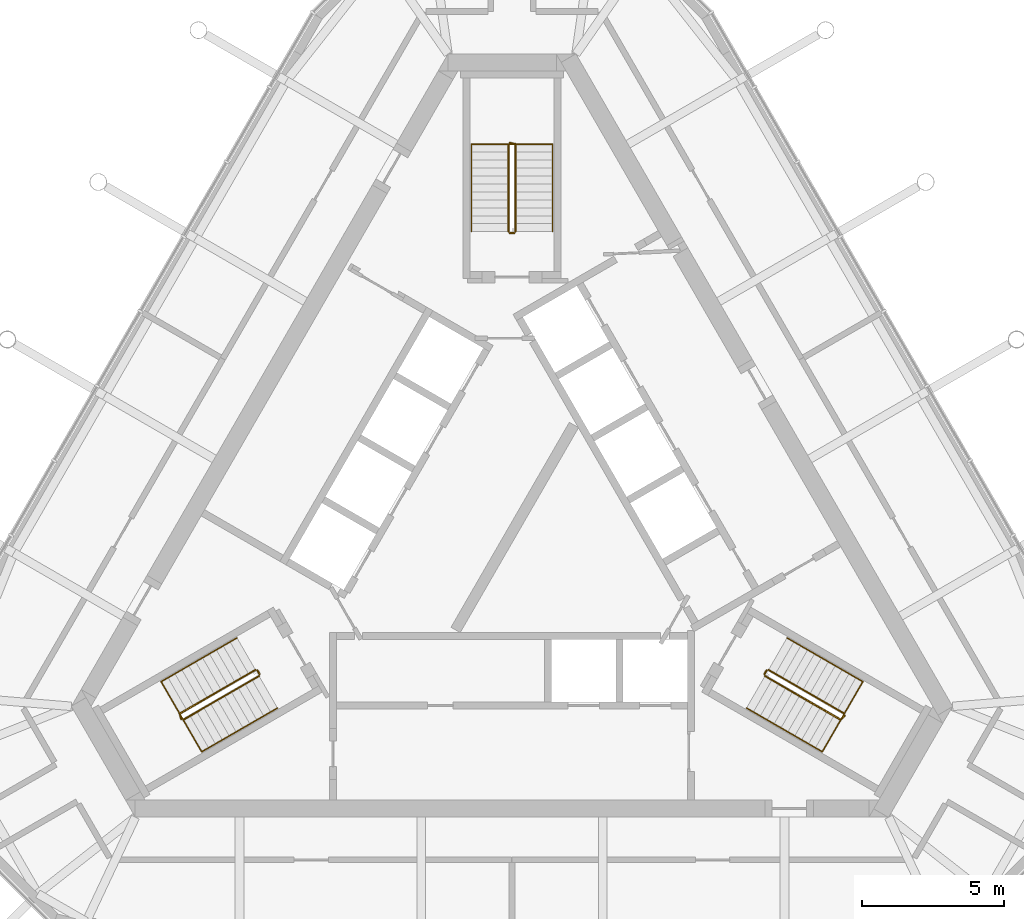
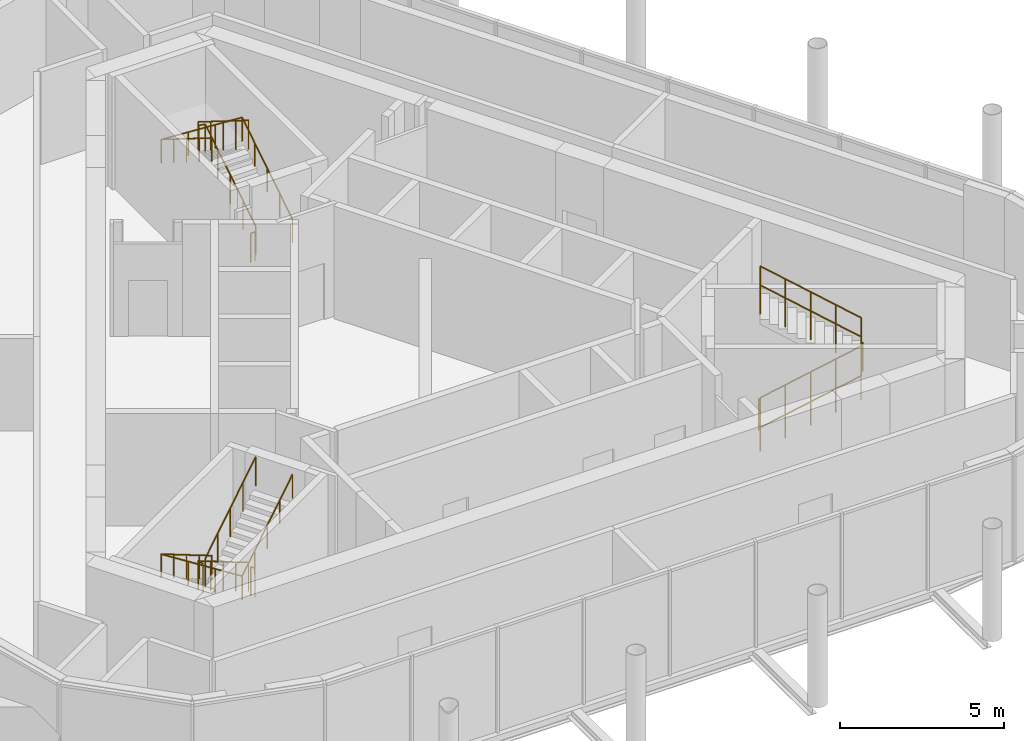
# One storey, part 11 of 11: 12 railings.
"""IFC4 building model written with IfcOpenShell, lengths in metres."""

from ifc_helpers import new_model, si_unit, direction, frame, origin, origin_2d, place, context, subcontext, project, spatial, circle, extrude, material, type_object, element, save


model = new_model("IFC4")

# Units and contexts
model_context = context("Model", 3, precision=1e-05, world=origin(), true_north=direction((0.0, 1.0)))
body_context = subcontext(model_context, "Body", "Model", "MODEL_VIEW")
ifc_project = project(units=[si_unit("LENGTHUNIT", "METRE"), si_unit("AREAUNIT", "SQUARE_METRE"), si_unit("VOLUMEUNIT", "CUBIC_METRE"), si_unit("PLANEANGLEUNIT", "RADIAN"), si_unit("MASSUNIT", "GRAM", prefix="KILO")], contexts=[model_context])

# Site, building, storey
site_placement = place(None, origin())
site = spatial("IfcSite", under=ifc_project, at=site_placement, CompositionType="ELEMENT")
building_placement = place(site_placement, origin())
building = spatial("IfcBuilding", under=site, at=building_placement, Name="Mestral Congress Tower", CompositionType="ELEMENT")
storey_placement = place(building_placement, frame((0.0, 0.0, 336.0)))
storey = spatial("IfcBuildingStorey", under=building, at=storey_placement, Name="L78", CompositionType="ELEMENT", Elevation=336.0)

# Railings
ifc_material_1 = material(Name="Steel balustrade", Category="steel")
railing_type_1 = type_object("IfcRailingType", Name="Stair guard 1100", PredefinedType="GUARDRAIL", material=ifc_material_1)
railing_1_placement = place(storey_placement, frame((8.90087890625, -5.283203125, 0.175048828125)))
element("IfcRailing", 1, at=railing_1_placement, inside=storey, type_object=railing_type_1, Name="L78 ST1 stair guard 1", PredefinedType="GUARDRAIL", context=body_context, shape_type="SweptSolid", body=[
    extrude(circle(Radius=0.02392578125, at=origin_2d()), frame((0.0, 0.0, 1.076171875), z_axis=(0.734364028329, -0.424015404183, 0.530019255228), x_axis=(0.500026652407, 0.866010015463, 0.0)), (0.0, 0.0, 1.0), 3.632080078125),
    extrude(circle(Radius=0.02392578125, at=origin_2d()), frame((2.667236328125, -1.5400390625, 3.0009765625), z_axis=(0.695164929852, 0.718850276695, 0.0), x_axis=(-0.718850276695, 0.695164929852, 0.0)), (0.0, 0.0, 1.0), 0.2060546875),
    extrude(circle(Radius=0.02099609375, at=origin_2d()), origin(), (0.0, 0.0, 1.0), 1.052001953125),
    extrude(circle(Radius=0.02099609375, at=origin_2d()), frame((0.666748046875, -0.385009765625, 0.481201171875)), (0.0, 0.0, 1.0), 1.052001953125),
    extrude(circle(Radius=0.02099609375, at=origin_2d()), frame((1.33349609375, -0.77001953125, 0.96240234375)), (0.0, 0.0, 1.0), 1.052001953125),
    extrude(circle(Radius=0.02099609375, at=origin_2d()), frame((2.00048828125, -1.155029296875, 1.44384765625)), (0.0, 0.0, 1.0), 1.052001953125),
    extrude(circle(Radius=0.02099609375, at=origin_2d()), frame((2.667236328125, -1.5400390625, 1.925048828125)), (0.0, 0.0, 1.0), 1.052001953125),
    extrude(circle(Radius=0.02099609375, at=origin_2d()), frame((2.810546875, -1.391845703125, 1.925048828125)), (0.0, 0.0, 1.0), 1.052001953125),
])
railing_2_placement = place(storey_placement, frame((11.693115234375, -6.606689453125, 2.27490234375)))
element("IfcRailing", 2, at=railing_2_placement, inside=storey, type_object=railing_type_1, Name="L78 ST1 stair guard 2", PredefinedType="GUARDRAIL", context=body_context, shape_type="SweptSolid", body=[
    extrude(circle(Radius=0.02392578125, at=origin_2d()), frame((0.0, 0.0, 1.076171875), z_axis=(-0.734364028329, 0.424015404183, 0.530019255228), x_axis=(-0.500026652407, -0.866010015463, 0.0)), (0.0, 0.0, 1.0), 3.632080078125),
    extrude(circle(Radius=0.02099609375, at=origin_2d()), origin(), (0.0, 0.0, 1.0), 1.052001953125),
    extrude(circle(Radius=0.02099609375, at=origin_2d()), frame((-0.666748046875, 0.385009765625, 0.481201171875)), (0.0, 0.0, 1.0), 1.052001953125),
    extrude(circle(Radius=0.02099609375, at=origin_2d()), frame((-1.33349609375, 0.77001953125, 0.96240234375)), (0.0, 0.0, 1.0), 1.052001953125),
    extrude(circle(Radius=0.02099609375, at=origin_2d()), frame((-2.00048828125, 1.155029296875, 1.44384765625)), (0.0, 0.0, 1.0), 1.052001953125),
    extrude(circle(Radius=0.02099609375, at=origin_2d()), frame((-2.667236328125, 1.5400390625, 1.925048828125)), (0.0, 0.0, 1.0), 1.052001953125),
])
railing_3_placement = place(storey_placement, frame((8.882568359375, -5.21484375, 0.0)))
element("IfcRailing", 3, at=railing_3_placement, inside=storey, type_object=railing_type_1, Name="L78 ST1 stair guard 3", PredefinedType="GUARDRAIL", context=body_context, shape_type="SweptSolid", body=[
    extrude(circle(Radius=0.02392578125, at=origin_2d()), frame((0.0, 0.0, 1.076171875), z_axis=(0.499816412211, 0.866131372301, 0.0), x_axis=(-0.866131372301, 0.499816412211, 0.0)), (0.0, 0.0, 1.0), 0.14990234375),
    extrude(circle(Radius=0.02099609375, at=origin_2d()), origin(), (0.0, 0.0, 1.0), 1.052001953125),
    extrude(circle(Radius=0.02099609375, at=origin_2d()), frame((0.074951171875, 0.1298828125, 0.0)), (0.0, 0.0, 1.0), 1.052001953125),
])
railing_4_placement = place(storey_placement, frame((0.125, 10.35009765625, 0.175048828125)))
element("IfcRailing", 4, at=railing_4_placement, inside=storey, type_object=railing_type_1, Name="L78 ST2 stair guard 1", PredefinedType="GUARDRAIL", context=body_context, shape_type="SweptSolid", body=[
    extrude(circle(Radius=0.02392578125, at=origin_2d()), frame((0.0, 0.0, 1.076171875), z_axis=(0.0, 0.847979421464, 0.530029150871), x_axis=(-1.0, 0.0, 0.0)), (0.0, 0.0, 1.0), 3.632080078125),
    extrude(circle(Radius=0.02392578125, at=origin_2d()), frame((0.0, 3.079833984375, 3.0009765625), z_axis=(-0.970072785993, 0.242814311512, 0.0), x_axis=(-0.242814311512, -0.970072785993, 0.0)), (0.0, 0.0, 1.0), 0.2060546875),
    extrude(circle(Radius=0.02099609375, at=origin_2d()), origin(), (0.0, 0.0, 1.0), 1.052001953125),
    extrude(circle(Radius=0.02099609375, at=origin_2d()), frame((0.0, 0.77001953125, 0.481201171875)), (0.0, 0.0, 1.0), 1.052001953125),
    extrude(circle(Radius=0.02099609375, at=origin_2d()), frame((0.0, 1.5400390625, 0.96240234375)), (0.0, 0.0, 1.0), 1.052001953125),
    extrude(circle(Radius=0.02099609375, at=origin_2d()), frame((0.0, 2.309814453125, 1.44384765625)), (0.0, 0.0, 1.0), 1.052001953125),
    extrude(circle(Radius=0.02099609375, at=origin_2d()), frame((0.0, 3.079833984375, 1.925048828125)), (0.0, 0.0, 1.0), 1.052001953125),
    extrude(circle(Radius=0.02099609375, at=origin_2d()), frame((-0.199951171875, 3.1298828125, 1.925048828125)), (0.0, 0.0, 1.0), 1.052001953125),
])
railing_5_placement = place(storey_placement, frame((-0.125, 13.429931640625, 2.27490234375)))
element("IfcRailing", 5, at=railing_5_placement, inside=storey, type_object=railing_type_1, Name="L78 ST2 stair guard 2", PredefinedType="GUARDRAIL", context=body_context, shape_type="SweptSolid", body=[
    extrude(circle(Radius=0.02392578125, at=origin_2d()), frame((0.0, 0.0, 1.076171875), z_axis=(0.0, -0.847979421464, 0.530029150871), x_axis=(1.0, 0.0, 0.0)), (0.0, 0.0, 1.0), 3.632080078125),
    extrude(circle(Radius=0.02099609375, at=origin_2d()), origin(), (0.0, 0.0, 1.0), 1.052001953125),
    extrude(circle(Radius=0.02099609375, at=origin_2d()), frame((0.0, -0.77001953125, 0.481201171875)), (0.0, 0.0, 1.0), 1.052001953125),
    extrude(circle(Radius=0.02099609375, at=origin_2d()), frame((0.0, -1.5400390625, 0.96240234375)), (0.0, 0.0, 1.0), 1.052001953125),
    extrude(circle(Radius=0.02099609375, at=origin_2d()), frame((0.0, -2.309814453125, 1.44384765625)), (0.0, 0.0, 1.0), 1.052001953125),
    extrude(circle(Radius=0.02099609375, at=origin_2d()), frame((0.0, -3.079833984375, 1.925048828125)), (0.0, 0.0, 1.0), 1.052001953125),
])
railing_6_placement = place(storey_placement, frame((0.074951171875, 10.300048828125, 0.0)))
element("IfcRailing", 6, at=railing_6_placement, inside=storey, type_object=railing_type_1, Name="L78 ST2 stair guard 3", PredefinedType="GUARDRAIL", context=body_context, shape_type="SweptSolid", body=[
    extrude(circle(Radius=0.02392578125, at=origin_2d()), frame((0.0, 0.0, 1.076171875), z_axis=(-1.0, 0.0, 0.0), x_axis=(0.0, -1.0, 0.0)), (0.0, 0.0, 1.0), 0.14990234375),
    extrude(circle(Radius=0.02099609375, at=origin_2d()), origin(), (0.0, 0.0, 1.0), 1.052001953125),
    extrude(circle(Radius=0.02099609375, at=origin_2d()), frame((-0.14990234375, 0.0, 0.0)), (0.0, 0.0, 1.0), 1.052001953125),
])
railing_7_placement = place(storey_placement, frame((-9.02587890625, -5.066650390625, 0.175048828125)))
element("IfcRailing", 7, at=railing_7_placement, inside=storey, type_object=railing_type_1, Name="L78 ST3 stair guard 1", PredefinedType="GUARDRAIL", context=body_context, shape_type="SweptSolid", body=[
    extrude(circle(Radius=0.02392578125, at=origin_2d()), frame((0.0, 0.0, 1.076171875), z_axis=(-0.734364028329, -0.424015404183, 0.530019255228), x_axis=(0.500026652407, -0.866010015463, 0.0)), (0.0, 0.0, 1.0), 3.632080078125),
    extrude(circle(Radius=0.02392578125, at=origin_2d()), frame((-2.667236328125, -1.5400390625, 3.0009765625), z_axis=(0.274721127897, -0.961523947641, 0.0), x_axis=(0.961523947641, 0.274721127897, 0.0)), (0.0, 0.0, 1.0), 0.2060546875),
    extrude(circle(Radius=0.02099609375, at=origin_2d()), origin(), (0.0, 0.0, 1.0), 1.052001953125),
    extrude(circle(Radius=0.02099609375, at=origin_2d()), frame((-0.666748046875, -0.385009765625, 0.481201171875)), (0.0, 0.0, 1.0), 1.052001953125),
    extrude(circle(Radius=0.02099609375, at=origin_2d()), frame((-1.33349609375, -0.77001953125, 0.96240234375)), (0.0, 0.0, 1.0), 1.052001953125),
    extrude(circle(Radius=0.02099609375, at=origin_2d()), frame((-2.00048828125, -1.155029296875, 1.44384765625)), (0.0, 0.0, 1.0), 1.052001953125),
    extrude(circle(Radius=0.02099609375, at=origin_2d()), frame((-2.667236328125, -1.5400390625, 1.925048828125)), (0.0, 0.0, 1.0), 1.052001953125),
    extrude(circle(Radius=0.02099609375, at=origin_2d()), frame((-2.610595703125, -1.73828125, 1.925048828125)), (0.0, 0.0, 1.0), 1.052001953125),
])
railing_8_placement = place(storey_placement, frame((-11.568115234375, -6.8232421875, 2.27490234375)))
element("IfcRailing", 8, at=railing_8_placement, inside=storey, type_object=railing_type_1, Name="L78 ST3 stair guard 2", PredefinedType="GUARDRAIL", context=body_context, shape_type="SweptSolid", body=[
    extrude(circle(Radius=0.02392578125, at=origin_2d()), frame((0.0, 0.0, 1.076171875), z_axis=(0.734364028329, 0.424015404183, 0.530019255228), x_axis=(-0.500026652407, 0.866010015463, 0.0)), (0.0, 0.0, 1.0), 3.632080078125),
    extrude(circle(Radius=0.02099609375, at=origin_2d()), origin(), (0.0, 0.0, 1.0), 1.052001953125),
    extrude(circle(Radius=0.02099609375, at=origin_2d()), frame((0.666748046875, 0.385009765625, 0.481201171875)), (0.0, 0.0, 1.0), 1.052001953125),
    extrude(circle(Radius=0.02099609375, at=origin_2d()), frame((1.33349609375, 0.77001953125, 0.96240234375)), (0.0, 0.0, 1.0), 1.052001953125),
    extrude(circle(Radius=0.02099609375, at=origin_2d()), frame((2.00048828125, 1.155029296875, 1.44384765625)), (0.0, 0.0, 1.0), 1.052001953125),
    extrude(circle(Radius=0.02099609375, at=origin_2d()), frame((2.667236328125, 1.5400390625, 1.925048828125)), (0.0, 0.0, 1.0), 1.052001953125),
])
railing_9_placement = place(storey_placement, frame((-8.95751953125, -5.0849609375, 0.0)))
element("IfcRailing", 9, at=railing_9_placement, inside=storey, type_object=railing_type_1, Name="L78 ST3 stair guard 3", PredefinedType="GUARDRAIL", context=body_context, shape_type="SweptSolid", body=[
    extrude(circle(Radius=0.02392578125, at=origin_2d()), frame((0.0, 0.0, 1.076171875), z_axis=(0.499816412211, -0.866131372301, 0.0), x_axis=(0.866131372301, 0.499816412211, 0.0)), (0.0, 0.0, 1.0), 0.14990234375),
    extrude(circle(Radius=0.02099609375, at=origin_2d()), origin(), (0.0, 0.0, 1.0), 1.052001953125),
    extrude(circle(Radius=0.02099609375, at=origin_2d()), frame((0.074951171875, -0.1298828125, 0.0)), (0.0, 0.0, 1.0), 1.052001953125),
])
ifc_material_2 = material(Name="Steel handrail", Category="steel")
railing_type_2 = type_object("IfcRailingType", Name="Stair handrail 900", PredefinedType="HANDRAIL", material=ifc_material_2)
railing_10_placement = place(storey_placement, frame((8.2509765625, -6.4091796875, 0.175048828125)))
element("IfcRailing", 10, at=railing_10_placement, inside=storey, type_object=railing_type_2, Name="L78 ST1 stair handrail 1", PredefinedType="HANDRAIL", context=body_context, shape_type="SweptSolid", body=[
    extrude(circle(Radius=0.02392578125, at=origin_2d()), frame((0.0, 0.0, 0.8759765625), z_axis=(0.734384958227, -0.423960268333, 0.530034361155), x_axis=(0.499967199496, 0.866044340336, 0.0)), (0.0, 0.0, 1.0), 3.6318359375),
    extrude(circle(Radius=0.02392578125, at=origin_2d()), frame((2.667236328125, -1.539794921875, 2.80078125), z_axis=(0.499098383545, 0.864379914213, 0.061222279016), x_axis=(-0.866004402611, 0.500036373335, 0.0)), (0.0, 0.0, 1.0), 2.855224609375),
    extrude(circle(Radius=0.02392578125, at=origin_2d()), frame((4.09228515625, 0.92822265625, 2.9755859375), z_axis=(-0.734394994316, 0.423994474112, 0.52999309264), x_axis=(-0.499992328818, -0.866029832698, 0.0)), (0.0, 0.0, 1.0), 3.63232421875),
    extrude(circle(Radius=0.02099609375, at=origin_2d()), origin(), (0.0, 0.0, 1.0), 0.851806640625),
    extrude(circle(Radius=0.02099609375, at=origin_2d()), frame((0.666748046875, -0.385009765625, 0.481201171875)), (0.0, 0.0, 1.0), 0.851806640625),
    extrude(circle(Radius=0.02099609375, at=origin_2d()), frame((1.33349609375, -0.77001953125, 0.96240234375)), (0.0, 0.0, 1.0), 0.851806640625),
    extrude(circle(Radius=0.02099609375, at=origin_2d()), frame((2.00048828125, -1.15478515625, 1.44384765625)), (0.0, 0.0, 1.0), 0.851806640625),
    extrude(circle(Radius=0.02099609375, at=origin_2d()), frame((2.667236328125, -1.539794921875, 1.925048828125)), (0.0, 0.0, 1.0), 0.851806640625),
    extrude(circle(Radius=0.02099609375, at=origin_2d()), frame((3.142333984375, -0.717041015625, 1.9833984375)), (0.0, 0.0, 1.0), 0.851806640625),
    extrude(circle(Radius=0.02099609375, at=origin_2d()), frame((3.6171875, 0.10546875, 2.04150390625)), (0.0, 0.0, 1.0), 0.851806640625),
    extrude(circle(Radius=0.02099609375, at=origin_2d()), frame((4.09228515625, 0.92822265625, 2.099853515625)), (0.0, 0.0, 1.0), 0.851806640625),
    extrude(circle(Radius=0.02099609375, at=origin_2d()), frame((3.42529296875, 1.313232421875, 2.5810546875)), (0.0, 0.0, 1.0), 0.851806640625),
    extrude(circle(Radius=0.02099609375, at=origin_2d()), frame((2.758544921875, 1.6982421875, 3.0625)), (0.0, 0.0, 1.0), 0.851806640625),
    extrude(circle(Radius=0.02099609375, at=origin_2d()), frame((2.091796875, 2.083251953125, 3.543701171875)), (0.0, 0.0, 1.0), 0.851806640625),
    extrude(circle(Radius=0.02099609375, at=origin_2d()), frame((1.4248046875, 2.46826171875, 4.02490234375)), (0.0, 0.0, 1.0), 0.851806640625),
])
railing_11_placement = place(storey_placement, frame((1.425048828125, 10.35009765625, 0.175048828125)))
element("IfcRailing", 11, at=railing_11_placement, inside=storey, type_object=railing_type_2, Name="L78 ST2 stair handrail 1", PredefinedType="HANDRAIL", context=body_context, shape_type="SweptSolid", body=[
    extrude(circle(Radius=0.02392578125, at=origin_2d()), frame((0.0, 0.0, 0.8759765625), z_axis=(0.0, 0.847979421464, 0.530029150871), x_axis=(-1.0, 0.0, 0.0)), (0.0, 0.0, 1.0), 3.632080078125),
    extrude(circle(Radius=0.02392578125, at=origin_2d()), frame((0.0, 3.079833984375, 2.80078125), z_axis=(-0.998124429008, 0.0, 0.061217842314), x_axis=(0.0, -1.0, 0.0)), (0.0, 0.0, 1.0), 2.85546875),
    extrude(circle(Radius=0.02392578125, at=origin_2d()), frame((-2.85009765625, 3.079833984375, 2.9755859375), z_axis=(0.0, -0.847979421464, 0.530029150871), x_axis=(1.0, 0.0, 0.0)), (0.0, 0.0, 1.0), 3.632080078125),
    extrude(circle(Radius=0.02099609375, at=origin_2d()), origin(), (0.0, 0.0, 1.0), 0.851806640625),
    extrude(circle(Radius=0.02099609375, at=origin_2d()), frame((0.0, 0.77001953125, 0.481201171875)), (0.0, 0.0, 1.0), 0.851806640625),
    extrude(circle(Radius=0.02099609375, at=origin_2d()), frame((0.0, 1.5400390625, 0.96240234375)), (0.0, 0.0, 1.0), 0.851806640625),
    extrude(circle(Radius=0.02099609375, at=origin_2d()), frame((0.0, 2.309814453125, 1.44384765625)), (0.0, 0.0, 1.0), 0.851806640625),
    extrude(circle(Radius=0.02099609375, at=origin_2d()), frame((0.0, 3.079833984375, 1.925048828125)), (0.0, 0.0, 1.0), 0.851806640625),
    extrude(circle(Radius=0.02099609375, at=origin_2d()), frame((-0.949951171875, 3.079833984375, 1.9833984375)), (0.0, 0.0, 1.0), 0.851806640625),
    extrude(circle(Radius=0.02099609375, at=origin_2d()), frame((-1.900146484375, 3.079833984375, 2.04150390625)), (0.0, 0.0, 1.0), 0.851806640625),
    extrude(circle(Radius=0.02099609375, at=origin_2d()), frame((-2.85009765625, 3.079833984375, 2.099853515625)), (0.0, 0.0, 1.0), 0.851806640625),
    extrude(circle(Radius=0.02099609375, at=origin_2d()), frame((-2.85009765625, 2.309814453125, 2.5810546875)), (0.0, 0.0, 1.0), 0.851806640625),
    extrude(circle(Radius=0.02099609375, at=origin_2d()), frame((-2.85009765625, 1.5400390625, 3.0625)), (0.0, 0.0, 1.0), 0.851806640625),
    extrude(circle(Radius=0.02099609375, at=origin_2d()), frame((-2.85009765625, 0.77001953125, 3.543701171875)), (0.0, 0.0, 1.0), 0.851806640625),
    extrude(circle(Radius=0.02099609375, at=origin_2d()), frame((-2.85009765625, 0.0, 4.02490234375)), (0.0, 0.0, 1.0), 0.851806640625),
])
railing_12_placement = place(storey_placement, frame((-9.67578125, -3.94091796875, 0.175048828125)))
element("IfcRailing", 12, at=railing_12_placement, inside=storey, type_object=railing_type_2, Name="L78 ST3 stair handrail 1", PredefinedType="HANDRAIL", context=body_context, shape_type="SweptSolid", body=[
    extrude(circle(Radius=0.02392578125, at=origin_2d()), frame((0.0, 0.0, 0.8759765625), z_axis=(-0.734394994316, -0.423994474112, 0.52999309264), x_axis=(0.499992328818, -0.866029832698, 0.0)), (0.0, 0.0, 1.0), 3.63232421875),
    extrude(circle(Radius=0.02392578125, at=origin_2d()), frame((-2.66748046875, -1.5400390625, 2.80078125), z_axis=(0.499098383545, -0.864379914213, 0.061222279016), x_axis=(0.866004402611, 0.500036373335, 0.0)), (0.0, 0.0, 1.0), 2.855224609375),
    extrude(circle(Radius=0.02392578125, at=origin_2d()), frame((-1.242431640625, -4.008056640625, 2.9755859375), z_axis=(0.734384958227, 0.423960268333, 0.530034361155), x_axis=(-0.499967199496, 0.866044340336, 0.0)), (0.0, 0.0, 1.0), 3.6318359375),
    extrude(circle(Radius=0.02099609375, at=origin_2d()), origin(), (0.0, 0.0, 1.0), 0.851806640625),
    extrude(circle(Radius=0.02099609375, at=origin_2d()), frame((-0.6669921875, -0.385009765625, 0.481201171875)), (0.0, 0.0, 1.0), 0.851806640625),
    extrude(circle(Radius=0.02099609375, at=origin_2d()), frame((-1.333740234375, -0.77001953125, 0.96240234375)), (0.0, 0.0, 1.0), 0.851806640625),
    extrude(circle(Radius=0.02099609375, at=origin_2d()), frame((-2.00048828125, -1.155029296875, 1.44384765625)), (0.0, 0.0, 1.0), 0.851806640625),
    extrude(circle(Radius=0.02099609375, at=origin_2d()), frame((-2.66748046875, -1.5400390625, 1.925048828125)), (0.0, 0.0, 1.0), 0.851806640625),
    extrude(circle(Radius=0.02099609375, at=origin_2d()), frame((-2.1923828125, -2.36279296875, 1.9833984375)), (0.0, 0.0, 1.0), 0.851806640625),
    extrude(circle(Radius=0.02099609375, at=origin_2d()), frame((-1.717529296875, -3.185302734375, 2.04150390625)), (0.0, 0.0, 1.0), 0.851806640625),
    extrude(circle(Radius=0.02099609375, at=origin_2d()), frame((-1.242431640625, -4.008056640625, 2.099853515625)), (0.0, 0.0, 1.0), 0.851806640625),
    extrude(circle(Radius=0.02099609375, at=origin_2d()), frame((-0.57568359375, -3.623046875, 2.5810546875)), (0.0, 0.0, 1.0), 0.851806640625),
    extrude(circle(Radius=0.02099609375, at=origin_2d()), frame((0.09130859375, -3.23828125, 3.0625)), (0.0, 0.0, 1.0), 0.851806640625),
    extrude(circle(Radius=0.02099609375, at=origin_2d()), frame((0.758056640625, -2.853271484375, 3.543701171875)), (0.0, 0.0, 1.0), 0.851806640625),
    extrude(circle(Radius=0.02099609375, at=origin_2d()), frame((1.4248046875, -2.46826171875, 4.02490234375)), (0.0, 0.0, 1.0), 0.851806640625),
])

save(model, "model.ifc")
